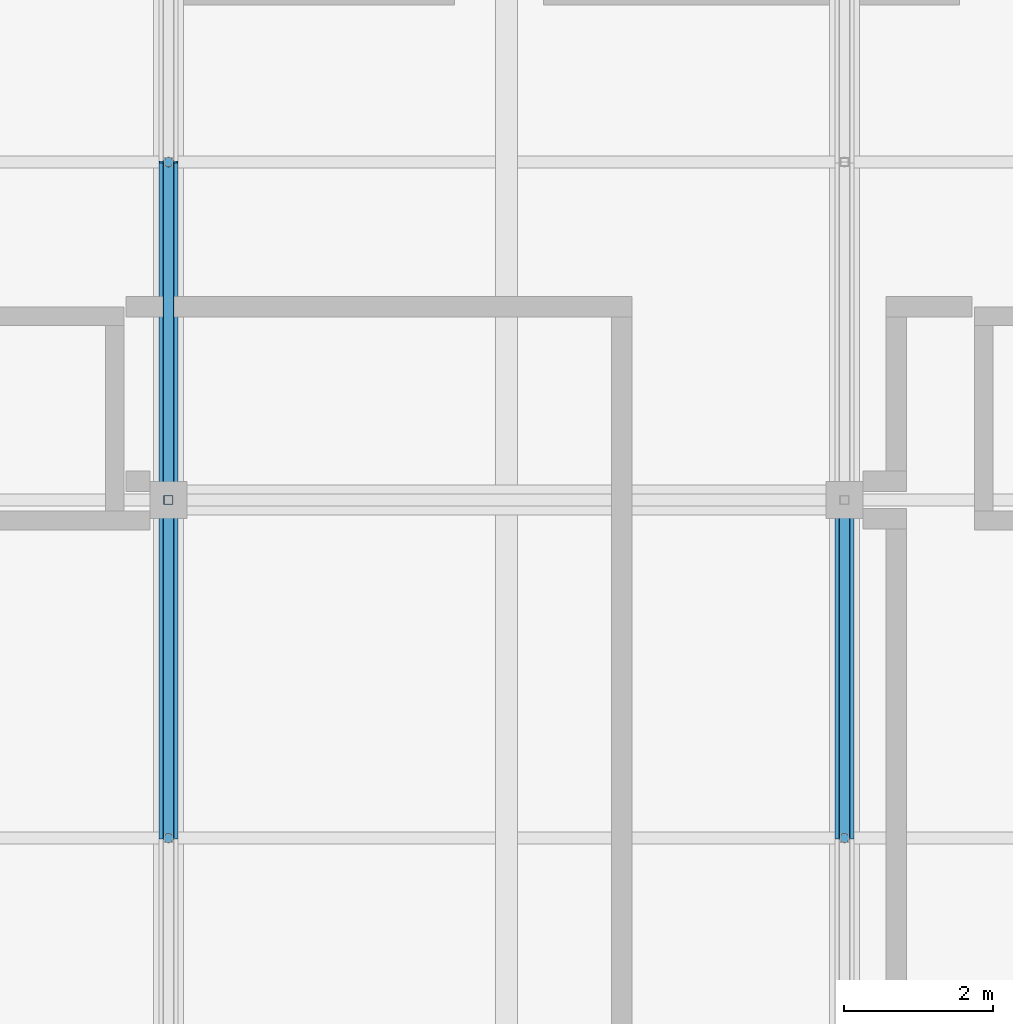
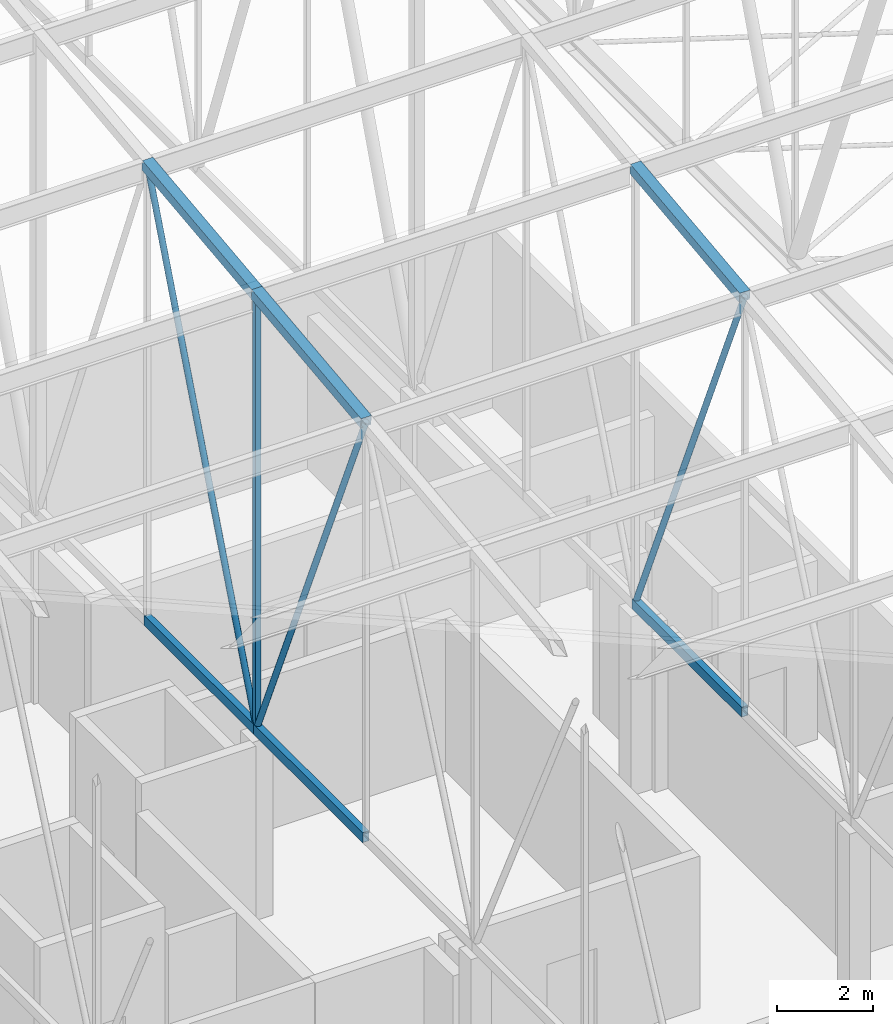
# One storey, part 73 of 500: 10 members.
"""IFC4 building model written with IfcOpenShell, lengths in metres."""

from ifc_helpers import new_model, si_unit, direction, frame, origin, origin_2d, place, context, subcontext, project, spatial, hollow_rectangle, hollow_circle, extrude, material, material_profile, profile_set, type_object, element, save


model = new_model("IFC4")

# Units and contexts
model_context = context("Model", 3, precision=1e-05, world=origin(), true_north=direction((0.0, 1.0)))
body_context = subcontext(model_context, "Body", "Model", "MODEL_VIEW")
ifc_project = project(units=[si_unit("LENGTHUNIT", "METRE"), si_unit("AREAUNIT", "SQUARE_METRE"), si_unit("VOLUMEUNIT", "CUBIC_METRE"), si_unit("PLANEANGLEUNIT", "RADIAN"), si_unit("MASSUNIT", "GRAM", prefix="KILO")], contexts=[model_context])

# Site, building, storey
site_placement = place(None, origin())
site = spatial("IfcSite", under=ifc_project, at=site_placement, CompositionType="ELEMENT")
building_placement = place(site_placement, origin())
building = spatial("IfcBuilding", under=site, at=building_placement, Name="Shirokan Park Arena", CompositionType="ELEMENT")
storey_placement = place(building_placement, frame((0.0, 0.0, 29.1201171875)))
storey = spatial("IfcBuildingStorey", under=building, at=storey_placement, Name="L06", CompositionType="ELEMENT", Elevation=29.1201171875)

# Members
ifc_material = material(Name="Steel ASTM A500 Grade C", Category="steel")
ifc_material_profile_1 = material_profile(ifc_material, hollow_rectangle(XDim=0.152099609375, YDim=0.25390625, WallThickness=0.009521484375, at=origin_2d()), Name="HSS254X152.4X9.5")
ifc_profile_set_1 = profile_set([ifc_material_profile_1], Name="Steel ASTM A500 Grade C")
member_type_1 = type_object("IfcMemberType", Name="Bottom chord HSS254X152.4X9.5", PredefinedType="CHORD", material=ifc_profile_set_1)
for number, where, z_axis, x_axis, name in (
    (1, (27.300048828125, 22.75, 4.677001953125), (0.0, 1.0, 0.0), (-1.0, 0.0, 0.0), "Truss T04 bottom chord 8"),
    (2, (27.300048828125, 27.300048828125, 4.677001953125), (0.0, 1.0, 0.0), (-1.0, 0.0, 0.0), "Truss T04 bottom chord 9"),
    (3, (36.39990234375, 22.75, 4.677001953125), (0.0, 1.0, 0.0), (-1.0, 0.0, 0.0), "Truss T05 bottom chord 8"),
):
    element("IfcMember", number, at=place(storey_placement, frame(where, z_axis=z_axis, x_axis=x_axis)), inside=storey, type_object=member_type_1, Name=name, PredefinedType="CHORD", context=body_context, shape_type="SweptSolid", body=[
        extrude(hollow_rectangle(XDim=0.152099609375, YDim=0.25390625, WallThickness=0.009521484375, at=origin_2d()), origin(), (0.0, 0.0, 1.0), 4.550048828125),
    ])
ifc_material_profile_2 = material_profile(ifc_material, hollow_rectangle(XDim=0.25390625, YDim=0.25390625, WallThickness=0.009521484375, at=origin_2d()), Name="HSS254X254X9.5")
ifc_profile_set_2 = profile_set([ifc_material_profile_2], Name="Steel ASTM A500 Grade C")
member_type_2 = type_object("IfcMemberType", Name="Top chord HSS254X254X9.5", PredefinedType="CHORD", material=ifc_profile_set_2)
for number, where, z_axis, x_axis, name in (
    (4, (27.300048828125, 22.75, 15.222900390625), (0.0, 0.993532328996, 0.113549598152), (-1.0, 0.0, 0.0), "Truss T04 top chord 8"),
    (5, (27.300048828125, 27.300048828125, 15.742919921875), (0.0, 0.993532328996, 0.113549598152), (-1.0, 0.0, 0.0), "Truss T04 top chord 9"),
    (6, (36.39990234375, 22.75, 15.222900390625), (0.0, 0.993532328996, 0.113549598152), (-1.0, 0.0, 0.0), "Truss T05 top chord 8"),
):
    element("IfcMember", number, at=place(storey_placement, frame(where, z_axis=z_axis, x_axis=x_axis)), inside=storey, type_object=member_type_2, Name=name, PredefinedType="CHORD", context=body_context, shape_type="SweptSolid", body=[
        extrude(hollow_rectangle(XDim=0.25390625, YDim=0.25390625, WallThickness=0.009521484375, at=origin_2d()), origin(), (0.0, 0.0, 1.0), 4.57958984375),
    ])
ifc_material_profile_3 = material_profile(ifc_material, hollow_circle(Radius=0.070556640625, WallThickness=0.006591796875, at=origin_2d()), Name="HSS141.3X6.6")
ifc_profile_set_3 = profile_set([ifc_material_profile_3], Name="Steel ASTM A500 Grade C")
member_type_3 = type_object("IfcMemberType", Name="Truss diagonal HSS141.3X6.6", PredefinedType="BRACE", material=ifc_profile_set_3)
member_1_placement = place(storey_placement, frame((27.300048828125, 22.75, 15.222900390625), z_axis=(0.0, 0.396152605513, -0.918184683572), x_axis=(-1.0, 0.0, 0.0)))
element("IfcMember", 7, at=member_1_placement, inside=storey, type_object=member_type_3, Name="Truss T04 diagonal 8", PredefinedType="BRACE", context=body_context, shape_type="SweptSolid", body=[
    extrude(hollow_circle(Radius=0.070556640625, WallThickness=0.006591796875, at=origin_2d()), origin(), (0.0, 0.0, 1.0), 11.485595703125),
])
member_2_placement = place(storey_placement, frame((27.300048828125, 27.300048828125, 4.677001953125), z_axis=(0.0, 0.365543139237, 0.930794399079), x_axis=(-1.0, 0.0, 0.0)))
element("IfcMember", 8, at=member_2_placement, inside=storey, type_object=member_type_3, Name="Truss T04 diagonal 9", PredefinedType="BRACE", context=body_context, shape_type="SweptSolid", body=[
    extrude(hollow_circle(Radius=0.070556640625, WallThickness=0.006591796875, at=origin_2d()), origin(), (0.0, 0.0, 1.0), 12.447265625),
])
member_3_placement = place(storey_placement, frame((36.39990234375, 22.75, 15.222900390625), z_axis=(0.0, 0.396152605513, -0.918184683572), x_axis=(-1.0, 0.0, 0.0)))
element("IfcMember", 9, at=member_3_placement, inside=storey, type_object=member_type_3, Name="Truss T05 diagonal 8", PredefinedType="BRACE", context=body_context, shape_type="SweptSolid", body=[
    extrude(hollow_circle(Radius=0.070556640625, WallThickness=0.006591796875, at=origin_2d()), origin(), (0.0, 0.0, 1.0), 11.485595703125),
])
ifc_material_profile_4 = material_profile(ifc_material, hollow_rectangle(XDim=0.126953125, YDim=0.126953125, WallThickness=0.008056640625, at=origin_2d()), Name="HSS127X127X7.9")
ifc_profile_set_4 = profile_set([ifc_material_profile_4], Name="Steel ASTM A500 Grade C")
member_type_4 = type_object("IfcMemberType", Name="Truss post HSS127X127X7.9", PredefinedType="POST", material=ifc_profile_set_4)
member_4_placement = place(storey_placement, frame((27.300048828125, 27.300048828125, 4.677001953125), z_axis=(0.0, 0.0, 1.0), x_axis=(1.0, 0.0, 0.0)))
element("IfcMember", 10, at=member_4_placement, inside=storey, type_object=member_type_4, Name="Truss T04 post 9", PredefinedType="POST", context=body_context, shape_type="SweptSolid", body=[
    extrude(hollow_rectangle(XDim=0.126953125, YDim=0.126953125, WallThickness=0.008056640625, at=origin_2d()), origin(), (0.0, 0.0, 1.0), 11.06591796875),
])

save(model, "model.ifc")
